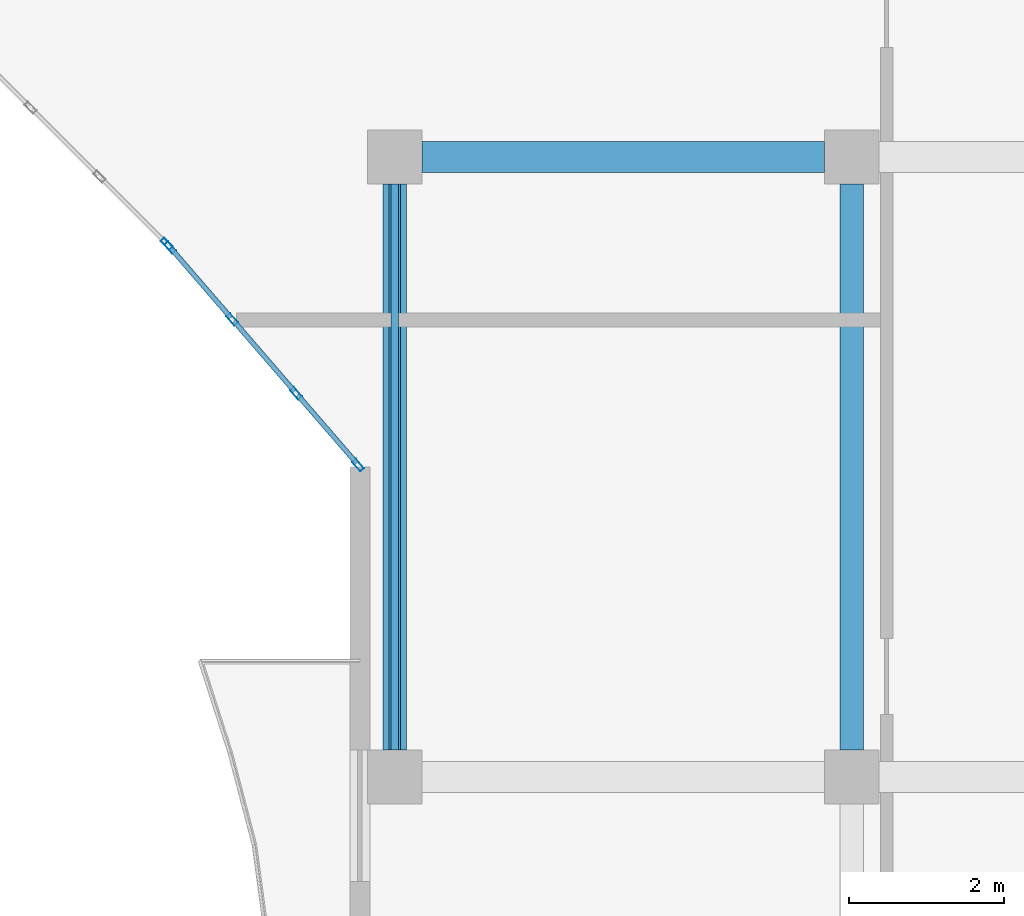
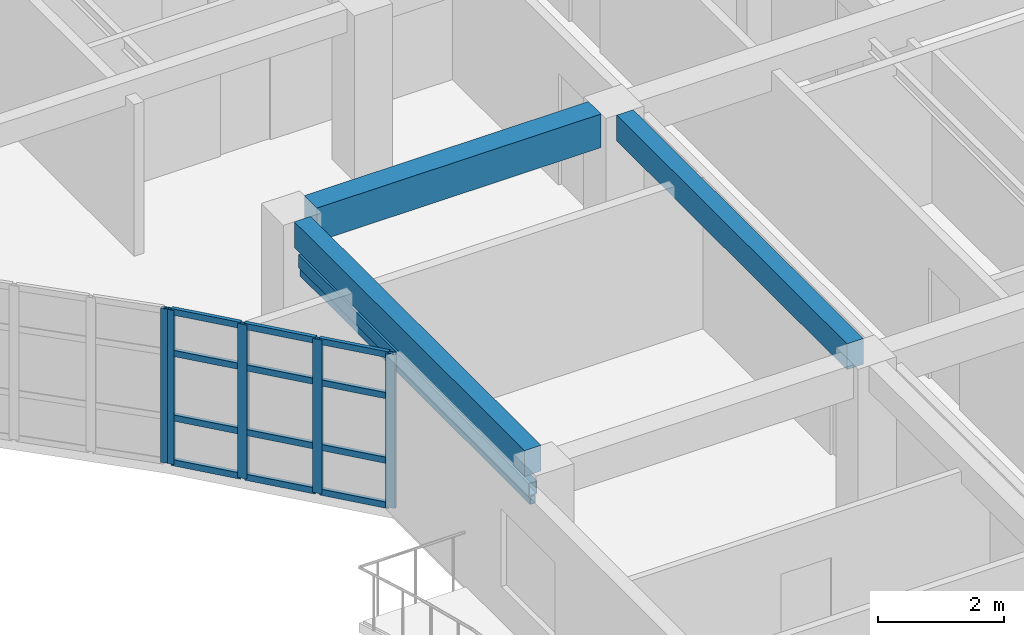
# One storey, part 21 of 89: 19 members, 3 beams, 2 elements without a shape of their own.
"""IFC4 building model written with IfcOpenShell, lengths in metres."""

from ifc_helpers import new_model, si_unit, direction, frame, origin, origin_2d, place, context, subcontext, project, spatial, rectangle, hollow_rectangle, extrude, material, layer, layer_set, material_profile, profile_set, type_object, element, aggregate, save


model = new_model("IFC4")

# Units and contexts
model_context = context("Model", 3, precision=1e-05, world=origin(), true_north=direction((0.0, 1.0)))
body_context = subcontext(model_context, "Body", "Model", "MODEL_VIEW")
ifc_project = project(units=[si_unit("LENGTHUNIT", "METRE"), si_unit("AREAUNIT", "SQUARE_METRE"), si_unit("VOLUMEUNIT", "CUBIC_METRE"), si_unit("PLANEANGLEUNIT", "RADIAN"), si_unit("MASSUNIT", "GRAM", prefix="KILO")], contexts=[model_context])

# Site, building, storey
site_placement = place(None, origin())
site = spatial("IfcSite", under=ifc_project, at=site_placement, CompositionType="ELEMENT")
building_placement = place(site_placement, origin())
building = spatial("IfcBuilding", under=site, at=building_placement, Name="Keldmere Railside Commons", CompositionType="ELEMENT")
storey_placement = place(building_placement, frame((0.0, 0.0, 7.360107421875)))
storey = spatial("IfcBuildingStorey", under=building, at=storey_placement, Name="L02", CompositionType="ELEMENT", Elevation=7.360107421875)

# Member
ifc_material_1 = material(Name="Steel F-36 (S355)", Category="steel")
ifc_material_profile_1 = material_profile(ifc_material_1, hollow_rectangle(XDim=0.14990234375, YDim=0.25, WallThickness=0.010009765625, at=origin_2d()), Name="RHS-250x150x10")
ifc_profile_set_1 = profile_set([ifc_material_profile_1], Name="Steel F-36 (S355)")
member_type_1 = type_object("IfcMemberType", Name="Balcony Continuous Planted Trough RHS250x150", PredefinedType="CHORD", material=ifc_profile_set_1)
member_1_placement = place(storey_placement, frame((104.449951171875, 88.35009765625, 2.414794921875), z_axis=(0.0, 1.0, 0.0), x_axis=(-1.0, 0.0, 0.0)))
element("IfcMember", 1, at=member_1_placement, inside=storey, type_object=member_type_1, Name="PLT-1 MEM-BPLT-0287", PredefinedType="CHORD", context=body_context, shape_type="SweptSolid", body=[
    extrude(hollow_rectangle(XDim=0.14990234375, YDim=0.25, WallThickness=0.010009765625, at=origin_2d()), origin(), (0.0, 0.0, 1.0), 7.2998046875),
])

# Beams
ifc_material_2 = material(Name="Concrete H-30 (C30/37)", Category="concrete")
ifc_material_profile_2 = material_profile(ifc_material_2, rectangle(XDim=0.39990234375, YDim=0.64990234375, at=origin_2d()), Name="RC-400x650")
ifc_profile_set_2 = profile_set([ifc_material_profile_2], Name="Concrete H-30 (C30/37)")
beam_type_1 = type_object("IfcBeamType", Name="Residential Spine RC Girder 400x650", PredefinedType="BEAM", material=ifc_profile_set_2)
beam_placement = place(storey_placement, frame((104.800048828125, 96.0, 2.875), z_axis=(1.0, 0.0, 0.0), x_axis=(0.0, 1.0, 0.0)))
element("IfcBeam", 2, at=beam_placement, inside=storey, type_object=beam_type_1, Name="BG-3 BM-L02-1104", PredefinedType="BEAM", context=body_context, shape_type="SweptSolid", body=[
    extrude(rectangle(XDim=0.39990234375, YDim=0.64990234375, at=origin_2d()), origin(), (0.0, 0.0, 1.0), 5.199951171875),
])
ifc_material_profile_3 = material_profile(ifc_material_2, rectangle(XDim=0.300048828125, YDim=0.5, at=origin_2d()), Name="RC-300x500")
ifc_profile_set_3 = profile_set([ifc_material_profile_3], Name="Concrete H-30 (C30/37)")
beam_type_2 = type_object("IfcBeamType", Name="Secondary Frame RC Beam 300x500", PredefinedType="BEAM", material=ifc_profile_set_3)
for number, where, z_axis, x_axis, name in (
    (3, (104.449951171875, 88.35009765625, 2.949951171875), (0.0, 1.0, 0.0), (-1.0, 0.0, 0.0), "BG-5 BM-L02-1205"),
    (4, (110.35009765625, 88.35009765625, 2.949951171875), (0.0, 1.0, 0.0), (-1.0, 0.0, 0.0), "BG-5 BM-L02-1212"),
):
    element("IfcBeam", number, at=place(storey_placement, frame(where, z_axis=z_axis, x_axis=x_axis)), inside=storey, type_object=beam_type_2, Name=name, PredefinedType="BEAM", context=body_context, shape_type="SweptSolid", body=[
        extrude(rectangle(XDim=0.300048828125, YDim=0.5, at=origin_2d()), origin(), (0.0, 0.0, 1.0), 7.2998046875),
    ])

# Member
ifc_material_profile_4 = material_profile(ifc_material_1, hollow_rectangle(XDim=0.10009765625, YDim=0.159912109375, WallThickness=0.008056640625, at=origin_2d()), Name="RHS-160x100x8")
ifc_profile_set_4 = profile_set([ifc_material_profile_4], Name="Steel F-36 (S355)")
member_type_2 = type_object("IfcMemberType", Name="Solar Brise-Soleil Louvre Fin RHS160x100", PredefinedType="STRUT", material=ifc_profile_set_4)
member_2_placement = place(storey_placement, frame((104.449951171875, 88.35009765625, 2.199951171875), z_axis=(0.0, 1.0, 0.0), x_axis=(-1.0, 0.0, 0.0)))
element("IfcMember", 5, at=member_2_placement, inside=storey, type_object=member_type_2, Name="BSF-1 MEM-BSF-0288", PredefinedType="STRUT", context=body_context, shape_type="SweptSolid", body=[
    extrude(hollow_rectangle(XDim=0.10009765625, YDim=0.159912109375, WallThickness=0.008056640625, at=origin_2d()), origin(), (0.0, 0.0, 1.0), 7.2998046875),
])

# Curtain wall, member
ifc_material_3 = material(Name="Thermally Broken Aluminium", Category="aluminium")
ifc_layer_1 = layer(ifc_material_3, 0.159912109375, Name="Court Chord Wintergarden CW 5400x2850")
ifc_layer_set_1 = layer_set([ifc_layer_1], Name="Thermally Broken Aluminium")
curtain_wall_type_1 = type_object("IfcCurtainWallType", Name="Court Chord Wintergarden CW 5400x2850", PredefinedType="NOTDEFINED", material=ifc_layer_set_1)
curtain_wall_1_placement = place(storey_placement, origin())
curtain_wall_1 = element("IfcCurtainWall", 6, at=curtain_wall_1_placement, inside=storey, type_object=curtain_wall_type_1, Name="CW-13 CW-L02-101", PredefinedType="NOTDEFINED")
ifc_material_profile_5 = material_profile(ifc_material_3, hollow_rectangle(XDim=0.06494140625, YDim=0.159912109375, WallThickness=0.00390625, at=origin_2d()), Name="ALU-MULL-65x160")
ifc_profile_set_5 = profile_set([ifc_material_profile_5], Name="Thermally Broken Aluminium")
member_type_3 = type_object("IfcMemberType", Name="Unitised Curtain Wall Mullion 65x160", PredefinedType="MULLION", material=ifc_profile_set_5)
member_3_placement = place(storey_placement, frame((101.507080078125, 94.880859375, 0.0), z_axis=(0.0, 0.0, 1.0), x_axis=(-0.707106781187, -0.707106781187, 0.0)))
member_3 = element("IfcMember", 7, at=member_3_placement, type_object=member_type_3, Name="CW-13 mullion 1", PredefinedType="MULLION", context=body_context, shape_type="SweptSolid", body=[
    extrude(hollow_rectangle(XDim=0.06494140625, YDim=0.159912109375, WallThickness=0.00390625, at=origin_2d()), origin(), (0.0, 0.0, 1.0), 2.97998046875),
])
aggregate(curtain_wall_1, [member_3])

# Curtain wall, members
ifc_layer_2 = layer(ifc_material_3, 0.159912109375, Name="Court Chord Wintergarden CW 4800x2850")
ifc_layer_set_2 = layer_set([ifc_layer_2], Name="Thermally Broken Aluminium")
curtain_wall_type_2 = type_object("IfcCurtainWallType", Name="Court Chord Wintergarden CW 4800x2850", PredefinedType="NOTDEFINED", material=ifc_layer_set_2)
curtain_wall_2_placement = place(storey_placement, origin())
curtain_wall_2 = element("IfcCurtainWall", 8, at=curtain_wall_2_placement, inside=storey, type_object=curtain_wall_type_2, Name="CW-12 CW-L02-102", PredefinedType="NOTDEFINED")
member_4_placement = place(storey_placement, frame((103.978759765625, 92.024658203125, 0.0), z_axis=(0.0, 0.0, 1.0), x_axis=(-0.756596767584, -0.653881741053, 0.0)))
member_4 = element("IfcMember", 9, at=member_4_placement, type_object=member_type_3, Name="CW-12 mullion 1", PredefinedType="MULLION", context=body_context, shape_type="SweptSolid", body=[
    extrude(hollow_rectangle(XDim=0.06494140625, YDim=0.159912109375, WallThickness=0.00390625, at=origin_2d()), origin(), (0.0, 0.0, 1.0), 2.97998046875),
])
member_5_placement = place(storey_placement, frame((103.1767578125, 92.95263671875, 0.0), z_axis=(0.0, 0.0, 1.0), x_axis=(-0.756596767584, -0.653881741053, 0.0)))
member_5 = element("IfcMember", 10, at=member_5_placement, type_object=member_type_3, Name="CW-12 mullion 2", PredefinedType="MULLION", context=body_context, shape_type="SweptSolid", body=[
    extrude(hollow_rectangle(XDim=0.06494140625, YDim=0.159912109375, WallThickness=0.00390625, at=origin_2d()), origin(), (0.0, 0.0, 1.0), 2.97998046875),
])
member_6_placement = place(storey_placement, frame((102.353271484375, 93.9052734375, 0.0), z_axis=(0.0, 0.0, 1.0), x_axis=(-0.756596767584, -0.653881741053, 0.0)))
member_6 = element("IfcMember", 11, at=member_6_placement, type_object=member_type_3, Name="CW-12 mullion 3", PredefinedType="MULLION", context=body_context, shape_type="SweptSolid", body=[
    extrude(hollow_rectangle(XDim=0.06494140625, YDim=0.159912109375, WallThickness=0.00390625, at=origin_2d()), origin(), (0.0, 0.0, 1.0), 2.97998046875),
])
member_7_placement = place(storey_placement, frame((101.55126953125, 94.83349609375, 0.0), z_axis=(0.0, 0.0, 1.0), x_axis=(-0.756596767584, -0.653881741053, 0.0)))
member_7 = element("IfcMember", 12, at=member_7_placement, type_object=member_type_3, Name="CW-12 mullion 4", PredefinedType="MULLION", context=body_context, shape_type="SweptSolid", body=[
    extrude(hollow_rectangle(XDim=0.06494140625, YDim=0.159912109375, WallThickness=0.00390625, at=origin_2d()), origin(), (0.0, 0.0, 1.0), 2.97998046875),
])
ifc_material_profile_6 = material_profile(ifc_material_3, hollow_rectangle(XDim=0.06494140625, YDim=0.1201171875, WallThickness=0.00390625, at=origin_2d()), Name="ALU-TRAN-65x120")
ifc_profile_set_6 = profile_set([ifc_material_profile_6], Name="Thermally Broken Aluminium")
member_type_4 = type_object("IfcMemberType", Name="Unitised Curtain Wall Transom 65x120", PredefinedType="USERDEFINED", material=ifc_profile_set_6)
member_8_placement = place(storey_placement, frame((103.95751953125, 92.049072265625, 0.032470703125), z_axis=(-0.653849663033, 0.756624489527, 0.0), x_axis=(-0.756624489527, -0.653849663033, 0.0)))
member_8 = element("IfcMember", 13, at=member_8_placement, type_object=member_type_4, Name="CW-12 transom 1.1", ObjectType="TRANSOM", PredefinedType="USERDEFINED", context=body_context, shape_type="SweptSolid", body=[
    extrude(hollow_rectangle(XDim=0.06494140625, YDim=0.1201171875, WallThickness=0.00390625, at=origin_2d()), origin(), (0.0, 0.0, 1.0), 1.16162109375),
])
member_9_placement = place(storey_placement, frame((103.95751953125, 92.049072265625, 0.89990234375), z_axis=(-0.653849663033, 0.756624489527, 0.0), x_axis=(-0.756624489527, -0.653849663033, 0.0)))
member_9 = element("IfcMember", 14, at=member_9_placement, type_object=member_type_4, Name="CW-12 transom 1.2", ObjectType="TRANSOM", PredefinedType="USERDEFINED", context=body_context, shape_type="SweptSolid", body=[
    extrude(hollow_rectangle(XDim=0.06494140625, YDim=0.1201171875, WallThickness=0.00390625, at=origin_2d()), origin(), (0.0, 0.0, 1.0), 1.16162109375),
])
member_10_placement = place(storey_placement, frame((103.95751953125, 92.049072265625, 2.14990234375), z_axis=(-0.653849663033, 0.756624489527, 0.0), x_axis=(-0.756624489527, -0.653849663033, 0.0)))
member_10 = element("IfcMember", 15, at=member_10_placement, type_object=member_type_4, Name="CW-12 transom 1.3", ObjectType="TRANSOM", PredefinedType="USERDEFINED", context=body_context, shape_type="SweptSolid", body=[
    extrude(hollow_rectangle(XDim=0.06494140625, YDim=0.1201171875, WallThickness=0.00390625, at=origin_2d()), origin(), (0.0, 0.0, 1.0), 1.16162109375),
])
member_11_placement = place(storey_placement, frame((103.95751953125, 92.049072265625, 2.947509765625), z_axis=(-0.653849663033, 0.756624489527, 0.0), x_axis=(-0.756624489527, -0.653849663033, 0.0)))
member_11 = element("IfcMember", 16, at=member_11_placement, type_object=member_type_4, Name="CW-12 transom 1.4", ObjectType="TRANSOM", PredefinedType="USERDEFINED", context=body_context, shape_type="SweptSolid", body=[
    extrude(hollow_rectangle(XDim=0.06494140625, YDim=0.1201171875, WallThickness=0.00390625, at=origin_2d()), origin(), (0.0, 0.0, 1.0), 1.16162109375),
])
member_12_placement = place(storey_placement, frame((103.155517578125, 92.977294921875, 0.032470703125), z_axis=(-0.653933819796, 0.756551755881, 0.0), x_axis=(-0.756551755881, -0.653933819796, 0.0)))
member_12 = element("IfcMember", 17, at=member_12_placement, type_object=member_type_4, Name="CW-12 transom 2.1", ObjectType="TRANSOM", PredefinedType="USERDEFINED", context=body_context, shape_type="SweptSolid", body=[
    extrude(hollow_rectangle(XDim=0.06494140625, YDim=0.1201171875, WallThickness=0.00390625, at=origin_2d()), origin(), (0.0, 0.0, 1.0), 1.1943359375),
])
member_13_placement = place(storey_placement, frame((103.155517578125, 92.977294921875, 0.89990234375), z_axis=(-0.653933819796, 0.756551755881, 0.0), x_axis=(-0.756551755881, -0.653933819796, 0.0)))
member_13 = element("IfcMember", 18, at=member_13_placement, type_object=member_type_4, Name="CW-12 transom 2.2", ObjectType="TRANSOM", PredefinedType="USERDEFINED", context=body_context, shape_type="SweptSolid", body=[
    extrude(hollow_rectangle(XDim=0.06494140625, YDim=0.1201171875, WallThickness=0.00390625, at=origin_2d()), origin(), (0.0, 0.0, 1.0), 1.1943359375),
])
member_14_placement = place(storey_placement, frame((103.155517578125, 92.977294921875, 2.14990234375), z_axis=(-0.653933819796, 0.756551755881, 0.0), x_axis=(-0.756551755881, -0.653933819796, 0.0)))
member_14 = element("IfcMember", 19, at=member_14_placement, type_object=member_type_4, Name="CW-12 transom 2.3", ObjectType="TRANSOM", PredefinedType="USERDEFINED", context=body_context, shape_type="SweptSolid", body=[
    extrude(hollow_rectangle(XDim=0.06494140625, YDim=0.1201171875, WallThickness=0.00390625, at=origin_2d()), origin(), (0.0, 0.0, 1.0), 1.1943359375),
])
member_15_placement = place(storey_placement, frame((103.155517578125, 92.977294921875, 2.947509765625), z_axis=(-0.653933819796, 0.756551755881, 0.0), x_axis=(-0.756551755881, -0.653933819796, 0.0)))
member_15 = element("IfcMember", 20, at=member_15_placement, type_object=member_type_4, Name="CW-12 transom 2.4", ObjectType="TRANSOM", PredefinedType="USERDEFINED", context=body_context, shape_type="SweptSolid", body=[
    extrude(hollow_rectangle(XDim=0.06494140625, YDim=0.1201171875, WallThickness=0.00390625, at=origin_2d()), origin(), (0.0, 0.0, 1.0), 1.1943359375),
])
member_16_placement = place(storey_placement, frame((102.33203125, 93.929931640625, 0.032470703125), z_axis=(-0.653849663033, 0.756624489527, 0.0), x_axis=(-0.756624489527, -0.653849663033, 0.0)))
member_16 = element("IfcMember", 21, at=member_16_placement, type_object=member_type_4, Name="CW-12 transom 3.1", ObjectType="TRANSOM", PredefinedType="USERDEFINED", context=body_context, shape_type="SweptSolid", body=[
    extrude(hollow_rectangle(XDim=0.06494140625, YDim=0.1201171875, WallThickness=0.00390625, at=origin_2d()), origin(), (0.0, 0.0, 1.0), 1.16162109375),
])
member_17_placement = place(storey_placement, frame((102.33203125, 93.929931640625, 0.89990234375), z_axis=(-0.653849663033, 0.756624489527, 0.0), x_axis=(-0.756624489527, -0.653849663033, 0.0)))
member_17 = element("IfcMember", 22, at=member_17_placement, type_object=member_type_4, Name="CW-12 transom 3.2", ObjectType="TRANSOM", PredefinedType="USERDEFINED", context=body_context, shape_type="SweptSolid", body=[
    extrude(hollow_rectangle(XDim=0.06494140625, YDim=0.1201171875, WallThickness=0.00390625, at=origin_2d()), origin(), (0.0, 0.0, 1.0), 1.16162109375),
])
member_18_placement = place(storey_placement, frame((102.33203125, 93.929931640625, 2.14990234375), z_axis=(-0.653849663033, 0.756624489527, 0.0), x_axis=(-0.756624489527, -0.653849663033, 0.0)))
member_18 = element("IfcMember", 23, at=member_18_placement, type_object=member_type_4, Name="CW-12 transom 3.3", ObjectType="TRANSOM", PredefinedType="USERDEFINED", context=body_context, shape_type="SweptSolid", body=[
    extrude(hollow_rectangle(XDim=0.06494140625, YDim=0.1201171875, WallThickness=0.00390625, at=origin_2d()), origin(), (0.0, 0.0, 1.0), 1.16162109375),
])
member_19_placement = place(storey_placement, frame((102.33203125, 93.929931640625, 2.947509765625), z_axis=(-0.653849663033, 0.756624489527, 0.0), x_axis=(-0.756624489527, -0.653849663033, 0.0)))
member_19 = element("IfcMember", 24, at=member_19_placement, type_object=member_type_4, Name="CW-12 transom 3.4", ObjectType="TRANSOM", PredefinedType="USERDEFINED", context=body_context, shape_type="SweptSolid", body=[
    extrude(hollow_rectangle(XDim=0.06494140625, YDim=0.1201171875, WallThickness=0.00390625, at=origin_2d()), origin(), (0.0, 0.0, 1.0), 1.16162109375),
])
aggregate(curtain_wall_2, [member_4, member_5, member_6, member_7, member_8, member_9, member_10, member_11, member_12, member_13, member_14, member_15, member_16, member_17, member_18, member_19])

save(model, "model.ifc")
